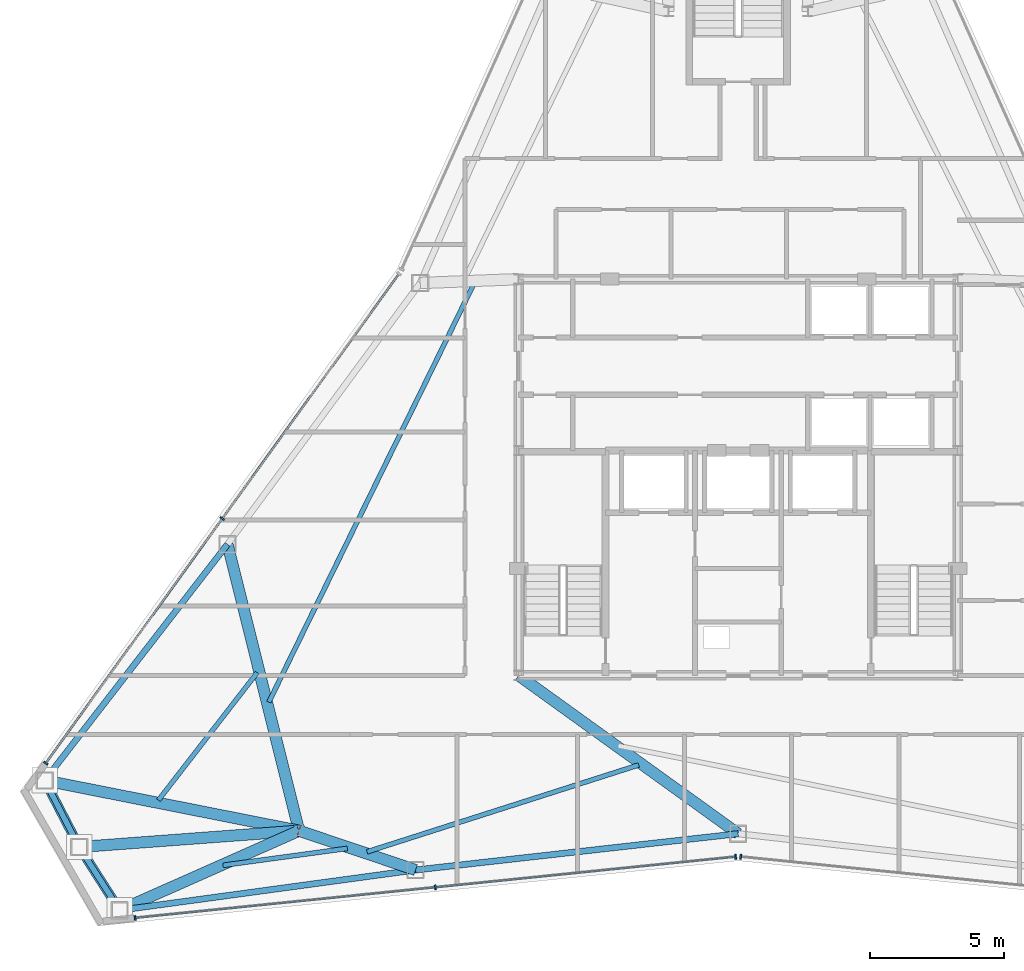
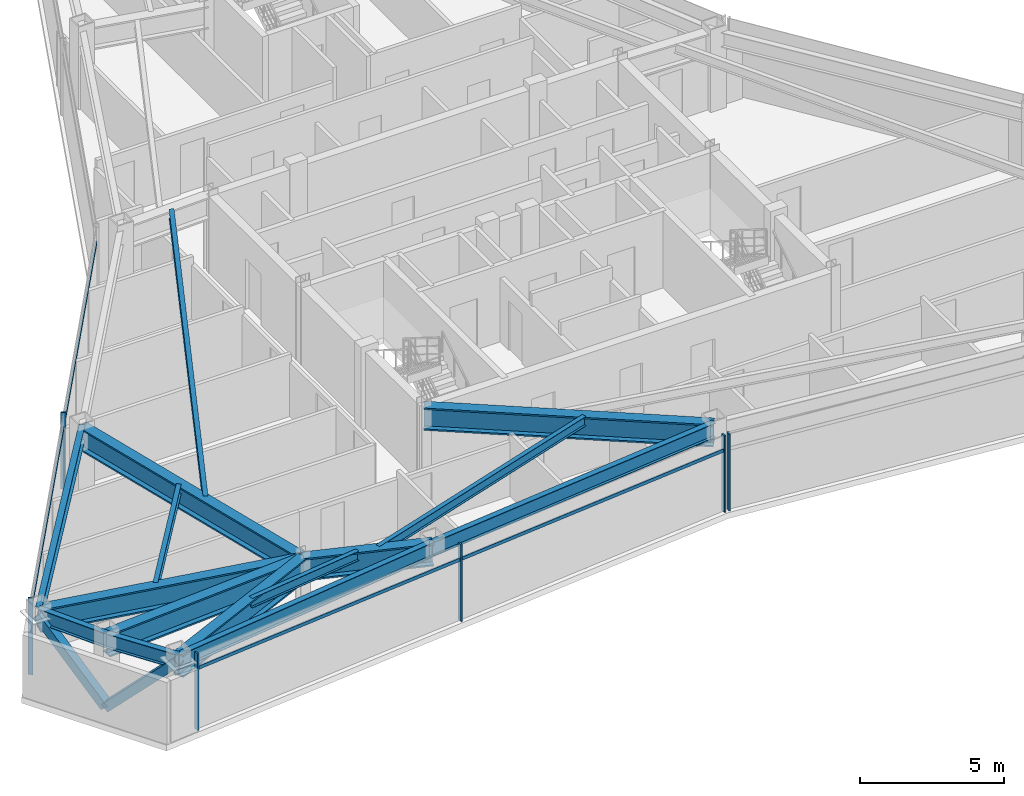
# One storey, part 3 of 12: 15 beams, 10 members, 3 elements without a shape of their own.
"""IFC4 building model written with IfcOpenShell, lengths in metres."""

from ifc_helpers import new_model, si_unit, direction, frame, origin, origin_2d, place, context, subcontext, project, spatial, rectangle, hollow_rectangle, i_section, extrude, source, transform, mapped, material, layer, layer_set, material_profile, profile_set, type_object, type_shapes, element, aggregate, save


model = new_model("IFC4")

# Units and contexts
model_context = context("Model", 3, precision=1e-05, world=origin(), true_north=direction((0.0, 1.0)))
body_context = subcontext(model_context, "Body", "Model", "MODEL_VIEW")
ifc_project = project(units=[si_unit("LENGTHUNIT", "METRE"), si_unit("AREAUNIT", "SQUARE_METRE"), si_unit("VOLUMEUNIT", "CUBIC_METRE"), si_unit("PLANEANGLEUNIT", "RADIAN"), si_unit("MASSUNIT", "GRAM", prefix="KILO")], contexts=[model_context])

# Site, building, storey
site_placement = place(None, origin())
site = spatial("IfcSite", under=ifc_project, at=site_placement, CompositionType="ELEMENT")
building_placement = place(site_placement, origin())
building = spatial("IfcBuilding", under=site, at=building_placement, Name="Varakhsha Concourse Tower", CompositionType="ELEMENT")
storey_placement = place(building_placement, frame((0.0, 0.0, 258.5)))
storey = spatial("IfcBuildingStorey", under=building, at=storey_placement, Name="L73", CompositionType="ELEMENT", Elevation=258.5)

# Beams
ifc_material_1 = material(Name="Structural Steel ASTM A992 Grade 50", Category="steel")
ifc_material_profile_1 = material_profile(ifc_material_1, i_section(OverallWidth=0.177978515625, OverallDepth=0.406982421875, WebThickness=0.008056640625, FlangeThickness=0.012939453125, at=origin_2d()), Name="W16X40")
ifc_profile_set_1 = profile_set([ifc_material_profile_1], Name="Structural Steel ASTM A992 Grade 50")
beam_type_1 = type_object("IfcBeamType", Name="BM-JST-W16X40", PredefinedType="JOIST", material=ifc_profile_set_1)
beam_1_placement = place(storey_placement, frame((30.135009765625, 31.03759765625, 3.04638671875), z_axis=(-0.440148570634, -0.897924961101, 0.0), x_axis=(0.897924961101, -0.440148570634, 0.0)))
element("IfcBeam", 1, at=beam_1_placement, inside=storey, type_object=beam_type_1, Name="BM-TJST-L73-05", PredefinedType="JOIST", context=body_context, shape_type="SweptSolid", body=[
    extrude(i_section(OverallWidth=0.177978515625, OverallDepth=0.406982421875, WebThickness=0.008056640625, FlangeThickness=0.012939453125, at=origin_2d()), origin(), (0.0, 0.0, 1.0), 17.4091796875),
])
beam_2_placement = place(storey_placement, frame((22.035888671875, 16.50341796875, 3.04638671875), z_axis=(-0.612222230768, -0.790685740452, 0.0), x_axis=(0.790685740452, -0.612222230768, 0.0)))
element("IfcBeam", 2, at=beam_2_placement, inside=storey, type_object=beam_type_1, Name="BM-TJST-L73-06", PredefinedType="JOIST", context=body_context, shape_type="SweptSolid", body=[
    extrude(i_section(OverallWidth=0.177978515625, OverallDepth=0.406982421875, WebThickness=0.008056640625, FlangeThickness=0.012939453125, at=origin_2d()), origin(), (0.0, 0.0, 1.0), 6.024658203125),
])
beam_3_placement = place(storey_placement, frame((20.760986328125, 9.30810546875, 3.04638671875), z_axis=(0.990870382928, 0.134817967037, 0.0), x_axis=(-0.134817967037, 0.990870382928, 0.0)))
element("IfcBeam", 3, at=beam_3_placement, inside=storey, type_object=beam_type_1, Name="BM-TJST-L73-09", PredefinedType="JOIST", context=body_context, shape_type="SweptSolid", body=[
    extrude(i_section(OverallWidth=0.177978515625, OverallDepth=0.406982421875, WebThickness=0.008056640625, FlangeThickness=0.012939453125, at=origin_2d()), origin(), (0.0, 0.0, 1.0), 4.6865234375),
])
beam_4_placement = place(storey_placement, frame((26.140625, 9.8125, 3.04638671875), z_axis=(0.952511924863, 0.304501285701, 0.0), x_axis=(-0.304501285701, 0.952511924863, 0.0)))
element("IfcBeam", 4, at=beam_4_placement, inside=storey, type_object=beam_type_1, Name="BM-TJST-L73-10", PredefinedType="JOIST", context=body_context, shape_type="SweptSolid", body=[
    extrude(i_section(OverallWidth=0.177978515625, OverallDepth=0.406982421875, WebThickness=0.008056640625, FlangeThickness=0.012939453125, at=origin_2d()), origin(), (0.0, 0.0, 1.0), 10.65234375),
])
ifc_material_profile_2 = material_profile(ifc_material_1, i_section(OverallWidth=0.423095703125, OverallDepth=0.947998046875, WebThickness=0.0380859375, FlangeThickness=0.06396484375, at=origin_2d()), Name="W36X302")
ifc_profile_set_2 = profile_set([ifc_material_profile_2], Name="Structural Steel ASTM A992 Grade 50")
beam_type_2 = type_object("IfcBeamType", Name="BM-OUTR-W36X302", PredefinedType="USERDEFINED", material=ifc_profile_set_2)
beam_5_placement = place(storey_placement, frame((23.60009765625, 10.60009765625, 2.77587890625), z_axis=(-0.242410585861, 0.970173751378, 0.0), x_axis=(-0.970173751378, -0.242410585861, 0.0)))
element("IfcBeam", 5, at=beam_5_placement, inside=storey, type_object=beam_type_2, Name="L73 Radial Floor Girder 06", ObjectType="GIRDER", PredefinedType="USERDEFINED", context=body_context, shape_type="SweptSolid", body=[
    extrude(i_section(OverallWidth=0.423095703125, OverallDepth=0.947998046875, WebThickness=0.0380859375, FlangeThickness=0.06396484375, at=origin_2d()), origin(), (0.0, 0.0, 1.0), 11.026123046875),
])
beam_6_placement = place(storey_placement, frame((23.60009765625, 10.60009765625, 2.77587890625), z_axis=(-0.980978125566, 0.194118307125, 0.0), x_axis=(-0.194118307125, -0.980978125566, 0.0)))
element("IfcBeam", 6, at=beam_6_placement, inside=storey, type_object=beam_type_2, Name="L73 Radial Floor Girder 07", ObjectType="GIRDER", PredefinedType="USERDEFINED", context=body_context, shape_type="SweptSolid", body=[
    extrude(i_section(OverallWidth=0.423095703125, OverallDepth=0.947998046875, WebThickness=0.0380859375, FlangeThickness=0.06396484375, at=origin_2d()), origin(), (0.0, 0.0, 1.0), 9.684326171875),
])
beam_7_placement = place(storey_placement, frame((23.60009765625, 10.60009765625, 2.77587890625), z_axis=(-0.997263302263, -0.073931765569, 0.0), x_axis=(0.073931765569, -0.997263302263, 0.0)))
element("IfcBeam", 7, at=beam_7_placement, inside=storey, type_object=beam_type_2, Name="L73 Radial Floor Girder 08", ObjectType="GIRDER", PredefinedType="USERDEFINED", context=body_context, shape_type="SweptSolid", body=[
    extrude(i_section(OverallWidth=0.423095703125, OverallDepth=0.947998046875, WebThickness=0.0380859375, FlangeThickness=0.06396484375, at=origin_2d()), origin(), (0.0, 0.0, 1.0), 8.232421875),
])
beam_8_placement = place(storey_placement, frame((23.60009765625, 10.60009765625, 2.77587890625), z_axis=(-0.914187563748, -0.405291374556, 0.0), x_axis=(0.405291374556, -0.914187563748, 0.0)))
element("IfcBeam", 8, at=beam_8_placement, inside=storey, type_object=beam_type_2, Name="L73 Radial Floor Girder 09", ObjectType="GIRDER", PredefinedType="USERDEFINED", context=body_context, shape_type="SweptSolid", body=[
    extrude(i_section(OverallWidth=0.423095703125, OverallDepth=0.947998046875, WebThickness=0.0380859375, FlangeThickness=0.06396484375, at=origin_2d()), origin(), (0.0, 0.0, 1.0), 7.32861328125),
])
beam_9_placement = place(storey_placement, frame((23.60009765625, 10.60009765625, 2.77587890625), z_axis=(0.947603418082, -0.319449154075, 0.0), x_axis=(0.319449154075, 0.947603418082, 0.0)))
element("IfcBeam", 9, at=beam_9_placement, inside=storey, type_object=beam_type_2, Name="L73 Radial Floor Girder 10", ObjectType="GIRDER", PredefinedType="USERDEFINED", context=body_context, shape_type="SweptSolid", body=[
    extrude(i_section(OverallWidth=0.423095703125, OverallDepth=0.947998046875, WebThickness=0.0380859375, FlangeThickness=0.06396484375, at=origin_2d()), origin(), (0.0, 0.0, 1.0), 4.590087890625),
])
beam_10_placement = place(storey_placement, frame((31.800048828125, 16.39990234375, 2.77587890625), z_axis=(0.811197960411, -0.584771638356, 0.0), x_axis=(0.584771638356, 0.811197960411, 0.0)))
element("IfcBeam", 10, at=beam_10_placement, inside=storey, type_object=beam_type_2, Name="L73 Radial Floor Girder 11", ObjectType="GIRDER", PredefinedType="USERDEFINED", context=body_context, shape_type="SweptSolid", body=[
    extrude(i_section(OverallWidth=0.423095703125, OverallDepth=0.947998046875, WebThickness=0.0380859375, FlangeThickness=0.06396484375, at=origin_2d()), origin(), (0.0, 0.0, 1.0), 10.1083984375),
])
ifc_material_profile_3 = material_profile(ifc_material_1, i_section(OverallWidth=0.22900390625, OverallDepth=0.612060546875, WebThickness=0.011962890625, FlangeThickness=0.02001953125, at=origin_2d()), Name="W24X84")
ifc_profile_set_3 = profile_set([ifc_material_profile_3], Name="Structural Steel ASTM A992 Grade 50")
beam_type_3 = type_object("IfcBeamType", Name="BM-SPAN-W24X84", PredefinedType="SPANDREL", material=ifc_profile_set_3)
beam_11_placement = place(storey_placement, frame((20.92724609375, 21.29736328125, 2.944091796875), z_axis=(-0.612217348488, -0.790689520741, 0.0), x_axis=(0.790689520741, -0.612217348488, 0.0)))
element("IfcBeam", 11, at=beam_11_placement, inside=storey, type_object=beam_type_3, Name="BM-SPAN-L73-06", PredefinedType="SPANDREL", context=body_context, shape_type="SweptSolid", body=[
    extrude(i_section(OverallWidth=0.22900390625, OverallDepth=0.612060546875, WebThickness=0.011962890625, FlangeThickness=0.02001953125, at=origin_2d()), origin(), (0.0, 0.0, 1.0), 11.151611328125),
])
beam_12_placement = place(storey_placement, frame((14.10009765625, 12.47998046875, 2.944091796875), z_axis=(0.460230722474, -0.887799347877, 0.0), x_axis=(0.887799347877, 0.460230722474, 0.0)))
element("IfcBeam", 12, at=beam_12_placement, inside=storey, type_object=beam_type_3, Name="BM-SPAN-L73-07", PredefinedType="SPANDREL", context=body_context, shape_type="SweptSolid", body=[
    extrude(i_section(OverallWidth=0.22900390625, OverallDepth=0.612060546875, WebThickness=0.011962890625, FlangeThickness=0.02001953125, at=origin_2d()), origin(), (0.0, 0.0, 1.0), 2.802978515625),
])
beam_13_placement = place(storey_placement, frame((15.39013671875, 9.991455078125, 2.944091796875), z_axis=(0.538762033455, -0.842457993794, 0.0), x_axis=(0.842457993794, 0.538762033455, 0.0)))
element("IfcBeam", 13, at=beam_13_placement, inside=storey, type_object=beam_type_3, Name="BM-SPAN-L73-08", PredefinedType="SPANDREL", context=body_context, shape_type="SweptSolid", body=[
    extrude(i_section(OverallWidth=0.22900390625, OverallDepth=0.612060546875, WebThickness=0.011962890625, FlangeThickness=0.02001953125, at=origin_2d()), origin(), (0.0, 0.0, 1.0), 2.80322265625),
])
beam_14_placement = place(storey_placement, frame((16.900390625, 7.6298828125, 2.944091796875), z_axis=(0.990863976686, 0.134865042565, 0.0), x_axis=(-0.134865042565, 0.990863976686, 0.0)))
element("IfcBeam", 14, at=beam_14_placement, inside=storey, type_object=beam_type_3, Name="BM-SPAN-L73-09", PredefinedType="SPANDREL", context=body_context, shape_type="SweptSolid", body=[
    extrude(i_section(OverallWidth=0.22900390625, OverallDepth=0.612060546875, WebThickness=0.011962890625, FlangeThickness=0.02001953125, at=origin_2d()), origin(), (0.0, 0.0, 1.0), 11.151123046875),
])
beam_15_placement = place(storey_placement, frame((27.94970703125, 9.1337890625, 2.944091796875), z_axis=(0.993737521425, 0.11173960136, 0.0), x_axis=(-0.11173960136, 0.993737521425, 0.0)))
element("IfcBeam", 15, at=beam_15_placement, inside=storey, type_object=beam_type_3, Name="BM-SPAN-L73-10", PredefinedType="SPANDREL", context=body_context, shape_type="SweptSolid", body=[
    extrude(i_section(OverallWidth=0.22900390625, OverallDepth=0.612060546875, WebThickness=0.011962890625, FlangeThickness=0.02001953125, at=origin_2d()), origin(), (0.0, 0.0, 1.0), 12.126220703125),
])

# Members
ifc_material_2 = material(Name="Structural Steel ASTM A500 Grade C", Category="steel")
ifc_material_profile_4 = material_profile(ifc_material_2, hollow_rectangle(XDim=0.35009765625, YDim=0.35009765625, WallThickness=0.01611328125, at=origin_2d()), Name="HSS 350x350x16")
ifc_profile_set_4 = profile_set([ifc_material_profile_4], Name="Structural Steel ASTM A500 Grade C")
member_type_1 = type_object("IfcMemberType", Name="MB-TUBE-HSS350", PredefinedType="BRACE", material=ifc_profile_set_4)
shared_shape_1 = source(origin(), body_context, "Body", "SweptSolid", [
    extrude(hollow_rectangle(XDim=0.35009765625, YDim=0.35009765625, WallThickness=0.01611328125, at=origin_2d()), origin(), (0.0, 0.0, 1.0), 3.983154296875),
])
type_shapes(member_type_1, [shared_shape_1])
for number, where, z_axis, x_axis, name in (
    (16, (15.39013671875, 9.991455078125, 0.1201171875), (-0.323879843478, 0.624774270359, 0.710463903436), (-0.887799347877, -0.460230722474, 0.0), "L73 Wind-Corner Tube Brace B03"),
    (17, (15.39013671875, 9.991455078125, 0.1201171875), (0.37915630707, -0.592883763061, 0.710443057752), (0.842457993794, 0.538762033455, 0.0), "L73 Wind-Corner Tube Brace B04"),
):
    element("IfcMember", number, at=place(storey_placement, frame(where, z_axis=z_axis, x_axis=x_axis)), inside=storey, type_object=member_type_1, Name=name, PredefinedType="BRACE", context=body_context, shape_type="MappedRepresentation", body=[
        mapped(shared_shape_1, transform((0.0, 0.0, 0.0), scale=1.0)),
    ])

# Curtain wall, members
ifc_material_3 = material(Name="Anodised Bronze Architectural Aluminium AA 6063-T6", Category="aluminium")
ifc_layer = layer(ifc_material_3, 0.199951171875, Name="CW-SYS-05")
ifc_layer_set = layer_set([ifc_layer], Name="Anodised Bronze Architectural Aluminium AA 6063-T6")
curtain_wall_type = type_object("IfcCurtainWallType", Name="CW-SYS-05", PredefinedType="NOTDEFINED", material=ifc_layer_set)
curtain_wall_1_placement = place(storey_placement, origin())
curtain_wall_1 = element("IfcCurtainWall", 18, at=curtain_wall_1_placement, inside=storey, type_object=curtain_wall_type, Name="L73 Crystal Curtain Wall F3", PredefinedType="NOTDEFINED")
ifc_material_profile_5 = material_profile(ifc_material_3, rectangle(XDim=0.06494140625, YDim=0.179931640625, at=origin_2d()), Name="CWM-180X65")
ifc_profile_set_5 = profile_set([ifc_material_profile_5], Name="Anodised Bronze Architectural Aluminium AA 6063-T6")
member_type_2 = type_object("IfcMemberType", Name="CWM-180X65", PredefinedType="MULLION", material=ifc_profile_set_5)
shared_shape_2 = source(origin(), body_context, "Body", "SweptSolid", [
    extrude(rectangle(XDim=0.06494140625, YDim=0.179931640625, at=origin_2d()), origin(), (0.0, 0.0, 1.0), 3.25),
])
type_shapes(member_type_2, [shared_shape_2])
member_1_placement = place(storey_placement, frame((14.138671875, 13.120849609375, 0.0), z_axis=(0.0, 0.0, 1.0), x_axis=(0.585188389778, 0.81089737234, 0.0)))
member_1 = element("IfcMember", 19, at=member_1_placement, type_object=member_type_2, Name="CW-L73-F3 Mullion 00", PredefinedType="MULLION", context=body_context, shape_type="MappedRepresentation", body=[
    mapped(shared_shape_2, transform((0.0, 0.0, 0.0), scale=1.0)),
])
member_2_placement = place(storey_placement, frame((20.735595703125, 22.261962890625, 0.0), z_axis=(0.0, 0.0, 1.0), x_axis=(0.585188389778, 0.81089737234, 0.0)))
member_2 = element("IfcMember", 20, at=member_2_placement, type_object=member_type_2, Name="CW-L73-F3 Mullion 01", PredefinedType="MULLION", context=body_context, shape_type="MappedRepresentation", body=[
    mapped(shared_shape_2, transform((0.0, 0.0, 0.0), scale=1.0)),
])

curtain_wall_2_placement = place(storey_placement, origin())
curtain_wall_2 = element("IfcCurtainWall", 21, at=curtain_wall_2_placement, inside=storey, type_object=curtain_wall_type, Name="L73 Crystal Curtain Wall F5", PredefinedType="NOTDEFINED")
member_3_placement = place(storey_placement, frame((39.904296875, 9.627685546875, 0.0), z_axis=(0.0, 0.0, 1.0), x_axis=(-0.994852272933, -0.101335852689, 0.0)))
member_3 = element("IfcMember", 22, at=member_3_placement, type_object=member_type_2, Name="CW-L73-F5 Mullion 00", PredefinedType="MULLION", context=body_context, shape_type="MappedRepresentation", body=[
    mapped(shared_shape_2, transform((0.0, 0.0, 0.0), scale=1.0)),
])
member_4_placement = place(storey_placement, frame((28.689208984375, 8.4853515625, 0.0), z_axis=(0.0, 0.0, 1.0), x_axis=(-0.994852272933, -0.101335852689, 0.0)))
member_4 = element("IfcMember", 23, at=member_4_placement, type_object=member_type_2, Name="CW-L73-F5 Mullion 01", PredefinedType="MULLION", context=body_context, shape_type="MappedRepresentation", body=[
    mapped(shared_shape_2, transform((0.0, 0.0, 0.0), scale=1.0)),
])
member_5_placement = place(storey_placement, frame((17.474609375, 7.343017578125, 0.0), z_axis=(0.0, 0.0, 1.0), x_axis=(-0.994852272933, -0.101335852689, 0.0)))
member_5 = element("IfcMember", 24, at=member_5_placement, type_object=member_type_2, Name="CW-L73-F5 Mullion 02", PredefinedType="MULLION", context=body_context, shape_type="MappedRepresentation", body=[
    mapped(shared_shape_2, transform((0.0, 0.0, 0.0), scale=1.0)),
])

# Curtain wall, member
curtain_wall_3_placement = place(storey_placement, origin())
curtain_wall_3 = element("IfcCurtainWall", 25, at=curtain_wall_3_placement, inside=storey, type_object=curtain_wall_type, Name="L73 Crystal Curtain Wall F6", PredefinedType="NOTDEFINED")
member_6_placement = place(storey_placement, frame((40.095703125, 9.627685546875, 0.0), z_axis=(0.0, 0.0, 1.0), x_axis=(-0.994852272933, 0.101335852689, 0.0)))
member_6 = element("IfcMember", 26, at=member_6_placement, type_object=member_type_2, Name="CW-L73-F6 Mullion 02", PredefinedType="MULLION", context=body_context, shape_type="MappedRepresentation", body=[
    mapped(shared_shape_2, transform((0.0, 0.0, 0.0), scale=1.0)),
])
aggregate(curtain_wall_3, [member_6])

# Member
ifc_material_profile_6 = material_profile(ifc_material_3, rectangle(XDim=0.06005859375, YDim=0.139892578125, at=origin_2d()), Name="CWT-140X60")
ifc_profile_set_6 = profile_set([ifc_material_profile_6], Name="Anodised Bronze Architectural Aluminium AA 6063-T6")
member_type_3 = type_object("IfcMemberType", Name="CWT-140X60", PredefinedType="USERDEFINED", material=ifc_profile_set_6)
shared_shape_3 = source(origin(), body_context, "Body", "SweptSolid", [
    extrude(rectangle(XDim=0.06005859375, YDim=0.139892578125, at=origin_2d()), origin(), (0.0, 0.0, 1.0), 22.545654296875),
])
type_shapes(member_type_3, [shared_shape_3])
member_7_placement = place(storey_placement, frame((14.138671875, 13.120849609375, 2.60009765625), z_axis=(0.585192407215, 0.810894473121, 0.0), x_axis=(-0.810894473121, 0.585192407215, 0.0)))
member_7 = element("IfcMember", 27, at=member_7_placement, type_object=member_type_3, Name="CW-L73-F3 Transom 01", ObjectType="TRANSOM", PredefinedType="USERDEFINED", context=body_context, shape_type="MappedRepresentation", body=[
    mapped(shared_shape_3, transform((0.0, 0.0, 0.0), scale=1.0)),
])

aggregate(curtain_wall_1, [member_1, member_2, member_7])

member_8_placement = place(storey_placement, frame((39.904296875, 9.627685546875, 2.60009765625), z_axis=(-0.994852382543, -0.1013347766, 0.0), x_axis=(0.1013347766, -0.994852382543, 0.0)))
member_8 = element("IfcMember", 28, at=member_8_placement, type_object=member_type_3, Name="CW-L73-F5 Transom 01", ObjectType="TRANSOM", PredefinedType="USERDEFINED", context=body_context, shape_type="MappedRepresentation", body=[
    mapped(shared_shape_3, transform((0.0, 0.0, 0.0), scale=1.0)),
])

aggregate(curtain_wall_2, [member_3, member_4, member_5, member_8])

save(model, "model.ifc")
